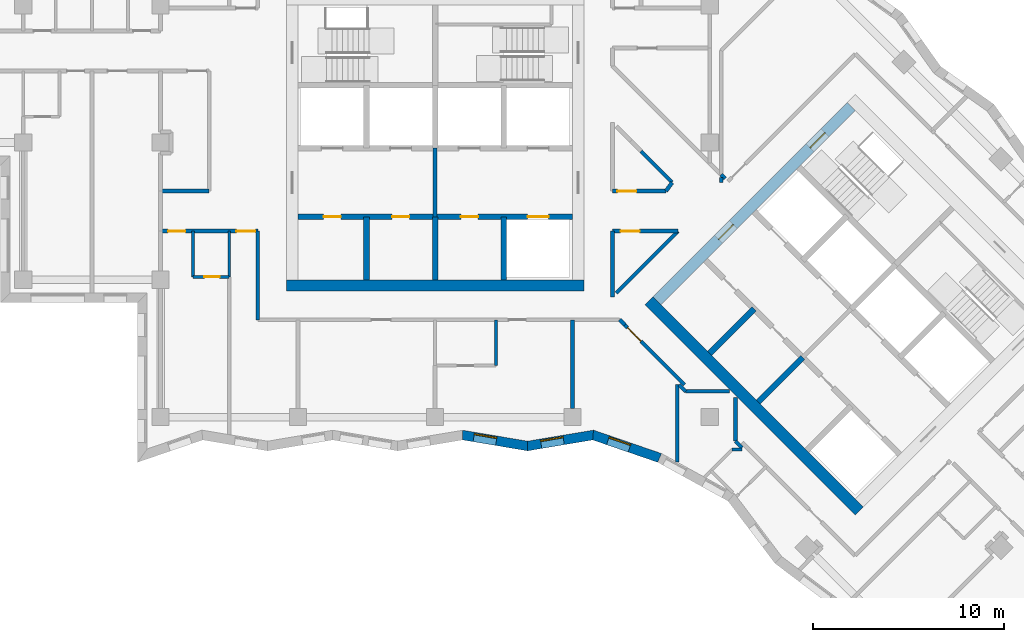
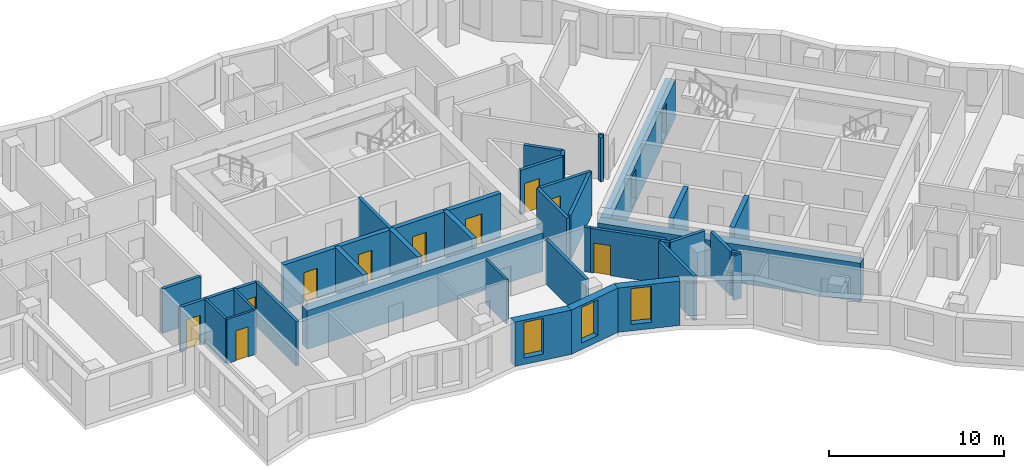
# One storey, part 3 of 12: 37 walls, 12 doors, 3 windows, 15 openings.
"""IFC4 building model written with IfcOpenShell, lengths in metres."""

import ifcopenshell
import ifcopenshell.guid

model = None  # the IFC model being written
_history = None  # IfcOwnerHistory: only IFC2X3 demands one
_inside = {}  # id of a spatial element -> (the spatial element, [elements in it])
_under = {}  # id of a project, library or spatial element -> (it, [spatial elements below it])
_declared = {}  # id of a project -> (the project, [libraries it declares])
_typed = {}  # id of a type object -> (the type object, [elements of that type])
_made_of = {}  # id of a material, layer set ... -> (it, [elements and type objects made of it])


def new_model(schema):
    """Start an empty IFC model of exactly this schema.

    Asked for "IFC4X3", IfcOpenShell would pick the latest addendum, in which some entities
    have other attributes; the version numbers below select the first issue.
    IFC2X3 requires an IfcOwnerHistory on every rooted entity: one is made here for all.
    """
    global model, _history
    if schema == "IFC4X3":
        model = ifcopenshell.file(schema_version=(4, 3, 0, 0))
    else:
        model = ifcopenshell.file(schema=schema)
    _inside.clear()
    _under.clear()
    _declared.clear()
    _typed.clear()
    _made_of.clear()
    _history = None
    if model.schema == "IFC2X3":
        org = make("IfcOrganization", Name="unknown")
        user = make(
            "IfcPersonAndOrganization",
            ThePerson=make("IfcPerson", FamilyName="unknown"),
            TheOrganization=org,
        )
        app = make(
            "IfcApplication",
            ApplicationDeveloper=org,
            Version="unknown",
            ApplicationFullName="unknown",
            ApplicationIdentifier="unknown",
        )
        _history = make(
            "IfcOwnerHistory",
            OwningUser=user,
            OwningApplication=app,
            ChangeAction="ADDED",
            CreationDate=0,
        )
    return model


def make(cls, **values):
    """One entity of the class cls with the attributes given. An attribute that is None is left unset."""
    return model.create_entity(
        cls, **{name: value for name, value in values.items() if value is not None}
    )


def rooted(cls, **values):
    """An entity with a GlobalId (a new one), such as an element, a storey or a relation."""
    return make(cls, GlobalId=ifcopenshell.guid.new(), OwnerHistory=_history, **values)


def si_unit(unit_type, name, prefix=None):
    """IfcSIUnit, for example si_unit("LENGTHUNIT", "METRE", prefix="MILLI")."""
    return make("IfcSIUnit", UnitType=unit_type, Prefix=prefix, Name=name)


def assignment(units):
    """IfcUnitAssignment: the units of a project."""
    return None if units is None else make("IfcUnitAssignment", Units=units)


def point(xyz):
    """IfcCartesianPoint."""
    return None if xyz is None else make("IfcCartesianPoint", Coordinates=xyz)


def direction(xyz):
    """IfcDirection."""
    return None if xyz is None else make("IfcDirection", DirectionRatios=xyz)


def frame(location, z_axis=None, x_axis=None):
    """IfcAxis2Placement3D, a coordinate frame: its origin and axes. An axis left out is left unset."""
    return make(
        "IfcAxis2Placement3D",
        Location=point(location),
        Axis=direction(z_axis),
        RefDirection=direction(x_axis),
    )


def frame_2d(location, x_axis=None):
    """IfcAxis2Placement2D, a coordinate frame in the plane: its origin and x axis."""
    return make(
        "IfcAxis2Placement2D", Location=point(location), RefDirection=direction(x_axis)
    )


def origin():
    """The frame at (0, 0, 0) with its axes left unset."""
    return frame((0.0, 0.0, 0.0))


def place(relative_to, where):
    """IfcLocalPlacement: puts the frame where relative to a parent placement (None: the world)."""
    return make(
        "IfcLocalPlacement", PlacementRelTo=relative_to, RelativePlacement=where
    )


def context(
    kind, dimensions, precision=None, world=None, true_north=None, identifier=None
):
    """IfcGeometricRepresentationContext, for example the 3D "Model" context."""
    return make(
        "IfcGeometricRepresentationContext",
        ContextIdentifier=identifier,
        ContextType=kind,
        CoordinateSpaceDimension=dimensions,
        Precision=precision,
        WorldCoordinateSystem=world,
        TrueNorth=true_north,
    )


def subcontext(parent, identifier, kind, view, scale=None):
    """IfcGeometricRepresentationSubContext, for example "Body" below "Model"."""
    return make(
        "IfcGeometricRepresentationSubContext",
        ContextIdentifier=identifier,
        ContextType=kind,
        ParentContext=parent,
        TargetScale=scale,
        TargetView=view,
    )


def project(units=None, contexts=None):
    """IfcProject with its units and contexts."""
    return rooted(
        "IfcProject",
        Name="project",
        RepresentationContexts=contexts,
        UnitsInContext=assignment(units),
    )


def spatial(cls, under=None, at=None, **own):
    """A site, building, storey or space (cls), placed at a placement, below another one or the project."""
    s = rooted(cls, ObjectPlacement=at, **own)
    if under is not None:
        _under.setdefault(under.id(), (under, []))[1].append(s)
    return s


def polyline(points):
    """IfcPolyline through the points."""
    return make("IfcPolyline", Points=[point(p) for p in points])


def profile(cls, at=None, kind="AREA", **sizes):
    """A parametric profile (cls). Its sizes go by their IFC names, for example OverallWidth=200.0."""
    return make(cls, ProfileType=kind, Position=at, **sizes)


def rectangle(**sizes):
    """IfcRectangleProfileDef."""
    return profile("IfcRectangleProfileDef", **sizes)


def outline(outer, holes=None, kind="AREA"):
    """IfcArbitraryClosedProfileDef: a profile drawn as a closed curve; with holes, ...WithVoids."""
    if holes is None:
        return make("IfcArbitraryClosedProfileDef", ProfileType=kind, OuterCurve=outer)
    return make(
        "IfcArbitraryProfileDefWithVoids",
        ProfileType=kind,
        OuterCurve=outer,
        InnerCurves=holes,
    )


def extrude(swept, where, along, depth):
    """IfcExtrudedAreaSolid: the profile swept, set in the frame where, extruded along a direction by depth."""
    return make(
        "IfcExtrudedAreaSolid",
        SweptArea=swept,
        Position=where,
        ExtrudedDirection=direction(along),
        Depth=depth,
    )


def shape(context_of_items, identifier, shape_type, items):
    """IfcShapeRepresentation: the items that make up one representation, for example the "Body"."""
    return make(
        "IfcShapeRepresentation",
        ContextOfItems=context_of_items,
        RepresentationIdentifier=identifier,
        RepresentationType=shape_type,
        Items=items,
    )


def material(Name=None, Category=None):
    """IfcMaterial."""
    return make("IfcMaterial", Name=Name, Category=Category)


def layer(
    of_material, thickness, ventilated=None, Name=None, Category=None, Priority=None
):
    """IfcMaterialLayer: one layer of a wall or slab, of a material (None: an air gap)."""
    return make(
        "IfcMaterialLayer",
        Material=of_material,
        LayerThickness=thickness,
        IsVentilated=ventilated,
        Name=Name,
        Category=Category,
        Priority=Priority,
    )


def layer_set(layers, Name=None):
    """IfcMaterialLayerSet."""
    return make("IfcMaterialLayerSet", MaterialLayers=layers, LayerSetName=Name)


def made_of(thing, what):
    """Note that an element or type object is made of a material, layer set ...; save() writes the relation."""
    if what is not None:
        _made_of.setdefault(what.id(), (what, []))[1].append(thing)
    return thing


def type_object(cls, material=None, **own):
    """A type object (cls), such as IfcWallType, which elements share."""
    return made_of(rooted(cls, **own), material)


def element(
    cls,
    number,
    at=None,
    inside=None,
    cuts=None,
    type_object=None,
    material=None,
    context=None,
    identifier="Body",
    shape_type=None,
    held_by="IfcProductDefinitionShape",
    body=None,
    shapes=None,
    **own,
):
    """One element of the class cls, such as IfcWall. Its Tag is "e" and its number.

    at: its placement. inside: the storey or other place that contains it. cuts: it is an
    opening in that element (IfcRelVoidsElement). A single representation is given by context,
    identifier, shape_type and body (its items); several are given by shapes. held_by: the class
    of the entity that holds the representations. save() writes the other relations.
    """
    e = rooted(cls, Tag="e%d" % number, ObjectPlacement=at, **own)
    if body is not None:
        shapes = [shape(context, identifier, shape_type, body)]
    if shapes is not None:
        e.Representation = make(held_by, Representations=shapes)
    if inside is not None:
        _inside.setdefault(inside.id(), (inside, []))[1].append(e)
    if cuts is not None:
        rooted(
            "IfcRelVoidsElement", RelatingBuildingElement=cuts, RelatedOpeningElement=e
        )
    if type_object is not None:
        _typed.setdefault(type_object.id(), (type_object, []))[1].append(e)
    return made_of(e, material)


def fill(opening, filler):
    """IfcRelFillsElement: the door or window that sits in an opening."""
    return rooted(
        "IfcRelFillsElement",
        RelatingOpeningElement=opening,
        RelatedBuildingElement=filler,
    )


def aggregate(whole, parts):
    """IfcRelAggregates: a whole, such as a stair, and the parts it consists of."""
    return rooted("IfcRelAggregates", RelatingObject=whole, RelatedObjects=parts)


def save(model, path):
    """Write the relations noted so far, then the file.

    IfcRelAggregates (storeys below a building ...), IfcRelContainedInSpatialStructure (elements
    in a storey), IfcRelDefinesByType, IfcRelAssociatesMaterial and IfcRelDeclares: one each for
    every whole, place, type object, material and project.
    """
    for whole, parts in _under.values():
        aggregate(whole, parts)
    for where, things in _inside.values():
        rooted(
            "IfcRelContainedInSpatialStructure",
            RelatedElements=things,
            RelatingStructure=where,
        )
    for kind, things in _typed.values():
        rooted("IfcRelDefinesByType", RelatedObjects=things, RelatingType=kind)
    for what, things in _made_of.values():
        rooted("IfcRelAssociatesMaterial", RelatedObjects=things, RelatingMaterial=what)
    for by, libraries in _declared.values():
        rooted("IfcRelDeclares", RelatingContext=by, RelatedDefinitions=libraries)
    model.write(path)


model = new_model("IFC4")

# Units and contexts
model_context = context("Model", 3, precision=1e-05, world=origin(), true_north=direction((0.0, 1.0)))
body_context = subcontext(model_context, "Body", "Model", "MODEL_VIEW")
ifc_project = project(units=[si_unit("LENGTHUNIT", "METRE"), si_unit("AREAUNIT", "SQUARE_METRE"), si_unit("VOLUMEUNIT", "CUBIC_METRE"), si_unit("PLANEANGLEUNIT", "RADIAN"), si_unit("MASSUNIT", "GRAM", prefix="KILO")], contexts=[model_context])

# Site, building, storey
site_placement = place(None, origin())
site = spatial("IfcSite", under=ifc_project, at=site_placement, CompositionType="ELEMENT")
building_placement = place(site_placement, origin())
building = spatial("IfcBuilding", under=site, at=building_placement, Name="Windrow Commons", CompositionType="ELEMENT")
storey_placement = place(building_placement, frame((0.0, 0.0, 166.0)))
storey = spatial("IfcBuildingStorey", under=building, at=storey_placement, Name="L45", CompositionType="ELEMENT", Elevation=166.0)

# Wall, opening, window
ifc_material_1 = material(Name="Brick masonry, red clay brick", Category="masonry")
ifc_layer_1 = layer(ifc_material_1, 0.5)
ifc_layer_set_1 = layer_set([ifc_layer_1], Name="Brick facade wall 500")
wall_type_1 = type_object("IfcWallType", Name="Brick facade wall 500", PredefinedType="SOLIDWALL", material=ifc_layer_set_1)
wall_1_placement = place(storey_placement, frame((66.244, 42.2535, 0.0), z_axis=(0.0, 0.0, 1.0), x_axis=(0.9862119159, -0.1654873316, 0.0)))
wall_1 = element("IfcWall", 1, at=wall_1_placement, inside=storey, type_object=wall_type_1, Name="Brick facade wall L45 47", PredefinedType="SOLIDWALL", context=body_context, shape_type="SweptSolid", body=[
    extrude(outline(polyline([(0.042, -0.25), (3.4984, -0.25), (3.4145, 0.25), (-0.042, 0.25), (0.042, -0.25)])), origin(), (0.0, 0.0, 1.0), 3.1),
])
opening_1_placement = place(wall_1_placement, frame((0.5931, 0.0, 0.45)))
opening_1 = element("IfcOpeningElement", 2, at=opening_1_placement, cuts=wall_1, Name="Opening W7E", PredefinedType="OPENING", context=body_context, shape_type="SweptSolid", body=[
    extrude(rectangle(XDim=1.2, YDim=2.5, at=frame_2d((0.6, 1.25))), frame((0.0, 0.26, 0.0), z_axis=(0.0, -1.0, 0.0), x_axis=(1.0, 0.0, 0.0)), (0.0, 0.0, 1.0), 0.52),
])
ifc_material_2 = material(Name="Clear float glass in anodised aluminium frame", Category="aluminium")
window_type = type_object("IfcWindowType", Name="Window W7 notch 1200x2500", PartitioningType="SINGLE_PANEL", PredefinedType="WINDOW", material=ifc_material_2)
window_1_placement = place(opening_1_placement, origin())
window_1 = element("IfcWindow", 3, at=window_1_placement, inside=storey, type_object=window_type, Name="Window L45 47.1", OverallHeight=2.5, OverallWidth=1.2, PartitioningType="SINGLE_PANEL", PredefinedType="WINDOW", context=body_context, shape_type="SweptSolid", body=[
    extrude(rectangle(XDim=1.2, YDim=2.5, at=frame_2d((0.6, 1.25))), frame((0.0, 0.18, 0.0), z_axis=(0.0, -1.0, 0.0), x_axis=(1.0, 0.0, 0.0)), (0.0, 0.0, 1.0), 0.06),
])
fill(opening_1, window_1)

wall_2_placement = place(storey_placement, frame((69.6528, 41.6815, 0.0), z_axis=(0.0, 0.0, 1.0), x_axis=(0.9862107034, 0.1654945573, 0.0)))
wall_2 = element("IfcWall", 4, at=wall_2_placement, inside=storey, type_object=wall_type_1, Name="Brick facade wall L45 48", PredefinedType="SOLIDWALL", context=body_context, shape_type="SweptSolid", body=[
    extrude(outline(polyline([(-0.042, -0.25), (3.4145, -0.25), (3.5415, 0.25), (0.042, 0.25), (-0.042, -0.25)])), origin(), (0.0, 0.0, 1.0), 3.1),
])
opening_2_placement = place(wall_2_placement, frame((0.711, 0.0, 0.45)))
opening_2 = element("IfcOpeningElement", 5, at=opening_2_placement, cuts=wall_2, Name="Opening W7E", PredefinedType="OPENING", context=body_context, shape_type="SweptSolid", body=[
    extrude(rectangle(XDim=1.2, YDim=2.5, at=frame_2d((0.6, 1.25))), frame((0.0, 0.26, 0.0), z_axis=(0.0, -1.0, 0.0), x_axis=(1.0, 0.0, 0.0)), (0.0, 0.0, 1.0), 0.52),
])
window_2_placement = place(opening_2_placement, origin())
window_2 = element("IfcWindow", 6, at=window_2_placement, inside=storey, type_object=window_type, Name="Window L45 48.1", OverallHeight=2.5, OverallWidth=1.2, PartitioningType="SINGLE_PANEL", PredefinedType="WINDOW", context=body_context, shape_type="SweptSolid", body=[
    extrude(rectangle(XDim=1.2, YDim=2.5, at=frame_2d((0.6, 1.25))), frame((0.0, 0.18, 0.0), z_axis=(0.0, -1.0, 0.0), x_axis=(1.0, 0.0, 0.0)), (0.0, 0.0, 1.0), 0.06),
])
fill(opening_2, window_2)

wall_3_placement = place(storey_placement, frame((73.0829, 42.2571, 0.0), z_axis=(0.0, 0.0, 1.0), x_axis=(0.9456655076, -0.3251411198, 0.0)))
wall_3 = element("IfcWall", 7, at=wall_3_placement, inside=storey, type_object=wall_type_1, Name="Brick facade wall L45 49", PredefinedType="SOLIDWALL", context=body_context, shape_type="SweptSolid", body=[
    extrude(outline(polyline([(0.0635, -0.25), (3.6681, -0.25), (3.7114, 0.25), (-0.0635, 0.25), (0.0635, -0.25)])), origin(), (0.0, 0.0, 1.0), 3.1),
])
opening_3_placement = place(wall_3_placement, frame((0.8309, 0.0, 0.45)))
opening_3 = element("IfcOpeningElement", 8, at=opening_3_placement, cuts=wall_3, Name="Opening W7E", PredefinedType="OPENING", context=body_context, shape_type="SweptSolid", body=[
    extrude(rectangle(XDim=1.2, YDim=2.5, at=frame_2d((0.6, 1.25))), frame((0.0, 0.26, 0.0), z_axis=(0.0, -1.0, 0.0), x_axis=(1.0, 0.0, 0.0)), (0.0, 0.0, 1.0), 0.52),
])
window_3_placement = place(opening_3_placement, origin())
window_3 = element("IfcWindow", 9, at=window_3_placement, inside=storey, type_object=window_type, Name="Window L45 49.1", OverallHeight=2.5, OverallWidth=1.2, PartitioningType="SINGLE_PANEL", PredefinedType="WINDOW", context=body_context, shape_type="SweptSolid", body=[
    extrude(rectangle(XDim=1.2, YDim=2.5, at=frame_2d((0.6, 1.25))), frame((0.0, 0.18, 0.0), z_axis=(0.0, -1.0, 0.0), x_axis=(1.0, 0.0, 0.0)), (0.0, 0.0, 1.0), 0.06),
])
fill(opening_3, window_3)

# Wall
ifc_material_3 = material(Name="Blockwork partition", Category="masonry")
ifc_layer_2 = layer(ifc_material_3, 0.2)
ifc_layer_set_2 = layer_set([ifc_layer_2], Name="Fire lobby partition 200")
wall_type_2 = type_object("IfcWallType", Name="Fire lobby partition 200", PredefinedType="PARTITIONING", material=ifc_layer_set_2)
wall_4_placement = place(storey_placement, frame((64.8, 53.7, 0.0), z_axis=(0.0, 0.0, 1.0), x_axis=(0.0, 1.0, 0.0)))
element("IfcWall", 10, at=wall_4_placement, inside=storey, type_object=wall_type_2, Name="W-core-lobby-A-L45", PredefinedType="PARTITIONING", context=body_context, shape_type="SweptSolid", body=[
    extrude(rectangle(XDim=3.6, YDim=0.2, at=frame_2d((1.8, 0.0))), origin(), (0.0, 0.0, 1.0), 3.1),
])

# Wall, openings, doors
ifc_material_4 = material(Name="Blockwork partition", Category="masonry")
ifc_layer_3 = layer(ifc_material_4, 0.2)
ifc_layer_set_3 = layer_set([ifc_layer_3], Name="IW-CORRIDOR-200")
wall_type_3 = type_object("IfcWallType", Name="IW-CORRIDOR-200", PredefinedType="PARTITIONING", material=ifc_layer_set_3)
wall_5_placement = place(storey_placement, frame((50.4, 52.95, 0.0), z_axis=(0.0, 0.0, 1.0), x_axis=(1.0, 0.0, 0.0)))
wall_5 = element("IfcWall", 11, at=wall_5_placement, inside=storey, type_object=wall_type_3, Name="W-L45-W035", PredefinedType="PARTITIONING", context=body_context, shape_type="SweptSolid", body=[
    extrude(rectangle(XDim=5.1, YDim=0.2, at=frame_2d((2.55, 0.0))), origin(), (0.0, 0.0, 1.0), 3.1),
])
opening_4_placement = place(wall_5_placement, frame((0.4, 0.0, 0.0)))
opening_4 = element("IfcOpeningElement", 12, at=opening_4_placement, cuts=wall_5, Name="Opening D109S", PredefinedType="OPENING", context=body_context, shape_type="SweptSolid", body=[
    extrude(rectangle(XDim=0.9, YDim=2.1, at=frame_2d((0.45, 1.05))), frame((0.0, 0.11, 0.0), z_axis=(0.0, -1.0, 0.0), x_axis=(1.0, 0.0, 0.0)), (0.0, 0.0, 1.0), 0.22),
])
opening_5_placement = place(wall_5_placement, frame((3.976, 0.0, 0.0)))
opening_5 = element("IfcOpeningElement", 13, at=opening_5_placement, cuts=wall_5, Name="Opening D310F", PredefinedType="OPENING", context=body_context, shape_type="SweptSolid", body=[
    extrude(rectangle(XDim=1.0, YDim=2.1, at=frame_2d((0.5, 1.05))), frame((0.0, 0.11, 0.0), z_axis=(0.0, -1.0, 0.0), x_axis=(1.0, 0.0, 0.0)), (0.0, 0.0, 1.0), 0.22),
])
ifc_material_5 = material(Name="Timber door leaf", Category="wood")
door_type_1 = type_object("IfcDoorType", Name="DT-AMENITY-1000", OperationType="SINGLE_SWING_LEFT", PredefinedType="DOOR", material=ifc_material_5)
door_1_placement = place(opening_5_placement, origin())
door_1 = element("IfcDoor", 14, at=door_1_placement, inside=storey, type_object=door_type_1, Name="D-L45-D027", OperationType="SINGLE_SWING_RIGHT", OverallHeight=2.1, OverallWidth=1.0, PredefinedType="DOOR", context=body_context, shape_type="SweptSolid", body=[
    extrude(rectangle(XDim=1.0, YDim=2.1, at=frame_2d((0.5, 1.05))), frame((0.0, 0.025, 0.0), z_axis=(0.0, -1.0, 0.0), x_axis=(1.0, 0.0, 0.0)), (0.0, 0.0, 1.0), 0.05),
])
fill(opening_5, door_1)
ifc_material_6 = material(Name="Timber door leaf", Category="wood")
door_type_2 = type_object("IfcDoorType", Name="DT-BEDROOM-900", OperationType="SINGLE_SWING_LEFT", PredefinedType="DOOR", material=ifc_material_6)
door_2_placement = place(opening_4_placement, origin())
door_2 = element("IfcDoor", 15, at=door_2_placement, inside=storey, type_object=door_type_2, Name="D-L45-D025", OperationType="SINGLE_SWING_LEFT", OverallHeight=2.1, OverallWidth=0.9, PredefinedType="DOOR", context=body_context, shape_type="SweptSolid", body=[
    extrude(rectangle(XDim=0.9, YDim=2.1, at=frame_2d((0.45, 1.05))), frame((0.0, 0.025, 0.0), z_axis=(0.0, -1.0, 0.0), x_axis=(1.0, 0.0, 0.0)), (0.0, 0.0, 1.0), 0.05),
])
fill(opening_4, door_2)

# Walls
wall_6_placement = place(storey_placement, frame((55.5, 48.3, 0.0), z_axis=(0.0, 0.0, 1.0), x_axis=(0.0, 1.0, 0.0)))
element("IfcWall", 16, at=wall_6_placement, inside=storey, type_object=wall_type_3, Name="W-L45-W039", PredefinedType="PARTITIONING", context=body_context, shape_type="SweptSolid", body=[
    extrude(rectangle(XDim=4.65, YDim=0.2, at=frame_2d((2.325, 0.0))), origin(), (0.0, 0.0, 1.0), 3.1),
])
wall_7_placement = place(storey_placement, frame((74.2996, 49.7064, 0.0), z_axis=(0.0, 0.0, 1.0), x_axis=(0.7071067812, 0.7071067812, 0.0)))
element("IfcWall", 17, at=wall_7_placement, inside=storey, type_object=wall_type_3, Name="W-L45-W045", PredefinedType="PARTITIONING", context=body_context, shape_type="SweptSolid", body=[
    extrude(rectangle(XDim=4.5877, YDim=0.2, at=frame_2d((2.2938, 0.0))), origin(), (0.0, 0.0, 1.0), 3.1),
])

# Wall, opening, door
wall_8_placement = place(storey_placement, frame((74.7447, 48.0287, 0.0), z_axis=(0.0, 0.0, 1.0), x_axis=(0.7068806156, -0.7073328745, 0.0)))
wall_8 = element("IfcWall", 18, at=wall_8_placement, inside=storey, type_object=wall_type_3, Name="W-L45-W047", PredefinedType="PARTITIONING", context=body_context, shape_type="SweptSolid", body=[
    extrude(rectangle(XDim=4.4222, YDim=0.2, at=frame_2d((2.2111, 0.0))), origin(), (0.0, 0.0, 1.0), 3.1),
])
opening_6_placement = place(wall_8_placement, frame((0.1993, 0.0, 0.0)))
opening_6 = element("IfcOpeningElement", 19, at=opening_6_placement, cuts=wall_8, Name="Opening D310F", PredefinedType="OPENING", context=body_context, shape_type="SweptSolid", body=[
    extrude(rectangle(XDim=1.0, YDim=2.1, at=frame_2d((0.5, 1.05))), frame((0.0, 0.11, 0.0), z_axis=(0.0, -1.0, 0.0), x_axis=(1.0, 0.0, 0.0)), (0.0, 0.0, 1.0), 0.22),
])
door_3_placement = place(opening_6_placement, origin())
door_3 = element("IfcDoor", 20, at=door_3_placement, inside=storey, type_object=door_type_1, Name="D-L45-D039", OperationType="SINGLE_SWING_LEFT", OverallHeight=2.1, OverallWidth=1.0, PredefinedType="DOOR", context=body_context, shape_type="SweptSolid", body=[
    extrude(rectangle(XDim=1.0, YDim=2.1, at=frame_2d((0.5, 1.05))), frame((0.0, 0.025, 0.0), z_axis=(0.0, -1.0, 0.0), x_axis=(1.0, 0.0, 0.0)), (0.0, 0.0, 1.0), 0.05),
])
fill(opening_6, door_3)

# Wall
wall_9_placement = place(storey_placement, frame((74.1, 49.508, 0.0), z_axis=(0.0, 0.0, 1.0), x_axis=(0.0, 1.0, 0.0)))
element("IfcWall", 21, at=wall_9_placement, inside=storey, type_object=wall_type_3, Name="W-L45-W055", PredefinedType="PARTITIONING", context=body_context, shape_type="SweptSolid", body=[
    extrude(rectangle(XDim=3.442, YDim=0.2, at=frame_2d((1.721, 0.0))), origin(), (0.0, 0.0, 1.0), 3.1),
])

# Wall, opening, door
wall_10_placement = place(storey_placement, frame((74.102, 52.95, 0.0), z_axis=(0.0, 0.0, 1.0), x_axis=(1.0, 0.0, 0.0)))
wall_10 = element("IfcWall", 22, at=wall_10_placement, inside=storey, type_object=wall_type_3, Name="W-L45-W056", PredefinedType="PARTITIONING", context=body_context, shape_type="SweptSolid", body=[
    extrude(rectangle(XDim=3.44, YDim=0.2, at=frame_2d((1.72, 0.0))), origin(), (0.0, 0.0, 1.0), 3.1),
])
opening_7_placement = place(wall_10_placement, frame((0.426, 0.0, 0.0)))
opening_7 = element("IfcOpeningElement", 23, at=opening_7_placement, cuts=wall_10, Name="Opening D410F", PredefinedType="OPENING", context=body_context, shape_type="SweptSolid", body=[
    extrude(rectangle(XDim=1.0, YDim=2.1, at=frame_2d((0.5, 1.05))), frame((0.0, 0.11, 0.0), z_axis=(0.0, -1.0, 0.0), x_axis=(1.0, 0.0, 0.0)), (0.0, 0.0, 1.0), 0.22),
])
ifc_material_7 = material(Name="Timber door leaf", Category="wood")
door_type_3 = type_object("IfcDoorType", Name="DT-SERVICE-1000", OperationType="SINGLE_SWING_LEFT", PredefinedType="DOOR", material=ifc_material_7)
door_4_placement = place(opening_7_placement, origin())
door_4 = element("IfcDoor", 24, at=door_4_placement, inside=storey, type_object=door_type_3, Name="D-L45-D000", OperationType="SINGLE_SWING_RIGHT", OverallHeight=2.1, OverallWidth=1.0, PredefinedType="DOOR", context=body_context, shape_type="SweptSolid", body=[
    extrude(rectangle(XDim=1.0, YDim=2.1, at=frame_2d((0.5, 1.05))), frame((0.0, 0.025, 0.0), z_axis=(0.0, -1.0, 0.0), x_axis=(1.0, 0.0, 0.0)), (0.0, 0.0, 1.0), 0.05),
])
fill(opening_7, door_4)

wall_11_placement = place(storey_placement, frame((74.102, 55.05, 0.0), z_axis=(0.0, 0.0, 1.0), x_axis=(1.0, 0.0, 0.0)))
wall_11 = element("IfcWall", 25, at=wall_11_placement, inside=storey, type_object=wall_type_3, Name="W-L45-W062", PredefinedType="PARTITIONING", context=body_context, shape_type="SweptSolid", body=[
    extrude(rectangle(XDim=2.794, YDim=0.2, at=frame_2d((1.397, 0.0))), origin(), (0.0, 0.0, 1.0), 3.1),
])
opening_8_placement = place(wall_11_placement, frame((0.2542, 0.0, 0.0)))
opening_8 = element("IfcOpeningElement", 26, at=opening_8_placement, cuts=wall_11, Name="Opening D410F", PredefinedType="OPENING", context=body_context, shape_type="SweptSolid", body=[
    extrude(rectangle(XDim=1.0, YDim=2.1, at=frame_2d((0.5, 1.05))), frame((0.0, 0.11, 0.0), z_axis=(0.0, -1.0, 0.0), x_axis=(1.0, 0.0, 0.0)), (0.0, 0.0, 1.0), 0.22),
])
door_5_placement = place(opening_8_placement, origin())
door_5 = element("IfcDoor", 27, at=door_5_placement, inside=storey, type_object=door_type_3, Name="D-L45-D001", OperationType="SINGLE_SWING_LEFT", OverallHeight=2.1, OverallWidth=1.0, PredefinedType="DOOR", context=body_context, shape_type="SweptSolid", body=[
    extrude(rectangle(XDim=1.0, YDim=2.1, at=frame_2d((0.5, 1.05))), frame((0.0, 0.025, 0.0), z_axis=(0.0, -1.0, 0.0), x_axis=(1.0, 0.0, 0.0)), (0.0, 0.0, 1.0), 0.05),
])
fill(opening_8, door_5)

# Walls
wall_12_placement = place(storey_placement, frame((50.4, 55.05, 0.0), z_axis=(0.0, 0.0, 1.0), x_axis=(1.0, 0.0, 0.0)))
element("IfcWall", 28, at=wall_12_placement, inside=storey, type_object=wall_type_3, Name="W-L45-W065", PredefinedType="PARTITIONING", context=body_context, shape_type="SweptSolid", body=[
    extrude(rectangle(XDim=2.55, YDim=0.2, at=frame_2d((1.275, 0.0))), origin(), (0.0, 0.0, 1.0), 3.1),
])
wall_13_placement = place(storey_placement, frame((75.597, 57.141, 0.0), z_axis=(0.0, 0.0, 1.0), x_axis=(0.7071067812, -0.7071067812, 0.0)))
element("IfcWall", 29, at=wall_13_placement, inside=storey, type_object=wall_type_3, Name="W-L45-W099", PredefinedType="PARTITIONING", context=body_context, shape_type="SweptSolid", body=[
    extrude(rectangle(XDim=2.3052, YDim=0.2, at=frame_2d((1.1526, 0.0))), origin(), (0.0, 0.0, 1.0), 3.1),
])
for number, where, z_axis, x_axis, name in (
    (30, (77.942, 44.55, 0.0), (0.0, 0.0, 1.0), (1.0, 0.0, 0.0), "W-L45-W100"),
    (31, (80.55, 41.942, 0.0), (0.0, 0.0, 1.0), (0.0, 1.0, 0.0), "W-L45-W101"),
):
    element("IfcWall", number, at=place(storey_placement, frame(where, z_axis=z_axis, x_axis=x_axis)), inside=storey, type_object=wall_type_3, Name=name, PredefinedType="PARTITIONING", context=body_context, shape_type="SweptSolid", body=[
        extrude(rectangle(XDim=2.29, YDim=0.2, at=frame_2d((1.145, 0.0))), origin(), (0.0, 0.0, 1.0), 3.1),
    ])
wall_14_placement = place(storey_placement, frame((76.9029, 55.0508, 0.0), z_axis=(0.0, 0.0, 1.0), x_axis=(0.5890255926, 0.8081143801, 0.0)))
element("IfcWall", 32, at=wall_14_placement, inside=storey, type_object=wall_type_3, Name="W-L45-W149", PredefinedType="PARTITIONING", context=body_context, shape_type="SweptSolid", body=[
    extrude(rectangle(XDim=0.5569, YDim=0.2, at=frame_2d((0.2784, 0.0))), origin(), (0.0, 0.0, 1.0), 3.1),
])
for number, where, z_axis, x_axis, name in (
    (33, (77.5885, 44.8965, 0.0), (0.0, 0.0, 1.0), (0.7071067812, -0.7071067812, 0.0), "W-L45-W153"),
    (34, (80.5465, 41.9385, 0.0), (0.0, 0.0, 1.0), (0.7071067812, -0.7071067812, 0.0), "W-L45-W154"),
):
    element("IfcWall", number, at=place(storey_placement, frame(where, z_axis=z_axis, x_axis=x_axis)), inside=storey, type_object=wall_type_3, Name=name, PredefinedType="PARTITIONING", context=body_context, shape_type="SweptSolid", body=[
        extrude(rectangle(XDim=0.495, YDim=0.2, at=frame_2d((0.2475, 0.0))), origin(), (0.0, 0.0, 1.0), 3.1),
    ])
wall_15_placement = place(storey_placement, frame((79.8, 55.49, 0.0), z_axis=(0.0, 0.0, 1.0), x_axis=(0.0, 1.0, 0.0)))
element("IfcWall", 35, at=wall_15_placement, inside=storey, type_object=wall_type_3, Name="W-L45-W163", PredefinedType="PARTITIONING", context=body_context, shape_type="SweptSolid", body=[
    extrude(rectangle(XDim=0.284, YDim=0.2, at=frame_2d((0.142, 0.0))), origin(), (0.0, 0.0, 1.0), 3.1),
])
wall_16_placement = place(storey_placement, frame((74.4772, 48.3032, 0.0), z_axis=(0.0, 0.0, 1.0), x_axis=(0.7097111995, -0.7044927348, 0.0)))
element("IfcWall", 36, at=wall_16_placement, inside=storey, type_object=wall_type_3, Name="W-L45-W164", PredefinedType="PARTITIONING", context=body_context, shape_type="SweptSolid", body=[
    extrude(rectangle(XDim=0.3833, YDim=0.2, at=frame_2d((0.1916, 0.0))), origin(), (0.0, 0.0, 1.0), 3.1),
])
ifc_material_8 = material(Name="Blockwork partition", Category="masonry")
ifc_layer_4 = layer(ifc_material_8, 0.15)
ifc_layer_set_4 = layer_set([ifc_layer_4], Name="IW-ENSUITE-150")
wall_type_4 = type_object("IfcWallType", Name="IW-ENSUITE-150", PredefinedType="PARTITIONING", material=ifc_layer_set_4)
for number, where, z_axis, x_axis, name in (
    (37, (52.1, 50.55, 0.0), (0.0, 0.0, 1.0), (0.0, 1.0, 0.0), "W-L45-W071"),
    (38, (54.0, 50.55, 0.0), (0.0, 0.0, 1.0), (0.0, 1.0, 0.0), "W-L45-W072"),
    (39, (68.0, 45.9, 0.0), (0.0, 0.0, 1.0), (0.0, 1.0, 0.0), "W-L45-W077"),
):
    element("IfcWall", number, at=place(storey_placement, frame(where, z_axis=z_axis, x_axis=x_axis)), inside=storey, type_object=wall_type_4, Name=name, PredefinedType="PARTITIONING", context=body_context, shape_type="SweptSolid", body=[
        extrude(rectangle(XDim=2.4, YDim=0.15, at=frame_2d((1.2, 0.0))), origin(), (0.0, 0.0, 1.0), 3.1),
    ])

# Wall, opening, door
wall_17_placement = place(storey_placement, frame((52.1, 50.55, 0.0), z_axis=(0.0, 0.0, 1.0), x_axis=(1.0, 0.0, 0.0)))
wall_17 = element("IfcWall", 40, at=wall_17_placement, inside=storey, type_object=wall_type_4, Name="W-L45-W123", PredefinedType="PARTITIONING", context=body_context, shape_type="SweptSolid", body=[
    extrude(rectangle(XDim=1.9, YDim=0.15, at=frame_2d((0.95, 0.0))), origin(), (0.0, 0.0, 1.0), 3.1),
])
opening_9_placement = place(wall_17_placement, frame((0.5979, 0.0, 0.0)))
opening_9 = element("IfcOpeningElement", 41, at=opening_9_placement, cuts=wall_17, Name="Opening D208N", PredefinedType="OPENING", context=body_context, shape_type="SweptSolid", body=[
    extrude(rectangle(XDim=0.8, YDim=2.1, at=frame_2d((0.4, 1.05))), frame((0.0, 0.085, 0.0), z_axis=(0.0, -1.0, 0.0), x_axis=(1.0, 0.0, 0.0)), (0.0, 0.0, 1.0), 0.17),
])
ifc_material_9 = material(Name="Timber door leaf", Category="wood")
door_type_4 = type_object("IfcDoorType", Name="DT-ENSUITE-800", OperationType="SINGLE_SWING_LEFT", PredefinedType="DOOR", material=ifc_material_9)
door_6_placement = place(opening_9_placement, origin())
door_6 = element("IfcDoor", 42, at=door_6_placement, inside=storey, type_object=door_type_4, Name="D-L45-D026", OperationType="SINGLE_SWING_RIGHT", OverallHeight=2.1, OverallWidth=0.8, PredefinedType="DOOR", context=body_context, shape_type="SweptSolid", body=[
    extrude(rectangle(XDim=0.8, YDim=2.1, at=frame_2d((0.4, 1.05))), frame((0.0, 0.025, 0.0), z_axis=(0.0, -1.0, 0.0), x_axis=(1.0, 0.0, 0.0)), (0.0, 0.0, 1.0), 0.05),
])
fill(opening_9, door_6)

# Walls
wall_18_placement = place(storey_placement, frame((80.378, 41.5, 0.0), z_axis=(0.0, 0.0, 1.0), x_axis=(1.0, 0.0, 0.0)))
element("IfcWall", 43, at=wall_18_placement, inside=storey, type_object=wall_type_4, Name="W-L45-W152", PredefinedType="PARTITIONING", context=body_context, shape_type="SweptSolid", body=[
    extrude(rectangle(XDim=0.522, YDim=0.15, at=frame_2d((0.261, 0.0))), origin(), (0.0, 0.0, 1.0), 3.1),
])
ifc_material_10 = material(Name="Blockwork partition", Category="masonry")
ifc_layer_5 = layer(ifc_material_10, 0.2)
ifc_layer_set_5 = layer_set([ifc_layer_5], Name="IW-PARTY-200")
wall_type_5 = type_object("IfcWallType", Name="IW-PARTY-200", PredefinedType="PARTITIONING", material=ifc_layer_set_5)
wall_19_placement = place(storey_placement, frame((72.0, 43.65, 0.0), z_axis=(0.0, 0.0, 1.0), x_axis=(0.0, 1.0, 0.0)))
element("IfcWall", 44, at=wall_19_placement, inside=storey, type_object=wall_type_5, Name="W-L45-W042", PredefinedType="PARTITIONING", context=body_context, shape_type="SweptSolid", body=[
    extrude(rectangle(XDim=4.65, YDim=0.2, at=frame_2d((2.325, 0.0))), origin(), (0.0, 0.0, 1.0), 3.1),
])
wall_20_placement = place(storey_placement, frame((77.5, 40.8316, 0.0), z_axis=(0.0, 0.0, 1.0), x_axis=(0.0, 1.0, 0.0)))
element("IfcWall", 45, at=wall_20_placement, inside=storey, type_object=wall_type_5, Name="W-L45-W049", PredefinedType="PARTITIONING", context=body_context, shape_type="SweptSolid", body=[
    extrude(rectangle(XDim=4.0684, YDim=0.2, at=frame_2d((2.0342, 0.0))), origin(), (0.0, 0.0, 1.0), 3.1),
])
wall_21_placement = place(storey_placement, frame((79.7972, 55.9112, 0.0), z_axis=(0.0, 0.0, 1.0), x_axis=(0.710418702, -0.7037792749, 0.0)))
element("IfcWall", 46, at=wall_21_placement, inside=storey, type_object=wall_type_5, Name="W-L45-W165", PredefinedType="PARTITIONING", context=body_context, shape_type="SweptSolid", body=[
    extrude(rectangle(XDim=0.3012, YDim=0.2, at=frame_2d((0.1506, 0.0))), origin(), (0.0, 0.0, 1.0), 3.1),
])
ifc_material_11 = material(Name="Concrete C50/60", Category="concrete")
ifc_layer_6 = layer(ifc_material_11, 0.6)
ifc_layer_set_6 = layer_set([ifc_layer_6], Name="RC CORE WALL 600 C50/60")
wall_type_6 = type_object("IfcWallType", Name="RC CORE WALL 600 C50/60", PredefinedType="SHEAR", material=ifc_layer_set_6)
for number, where, z_axis, x_axis, name in (
    (47, (57.0, 50.1, -0.3), (0.0, 0.0, 1.0), (1.0, 0.0, 0.0), "Core A wall outer-S"),
    (48, (76.018, 49.3019, -0.3), (0.0, 0.0, 1.0), (0.7071067812, -0.7071067812, 0.0), "Core B wall outer-S"),
):
    element("IfcWall", number, at=place(storey_placement, frame(where, z_axis=z_axis, x_axis=x_axis)), inside=storey, type_object=wall_type_6, Name=name, PredefinedType="SHEAR", context=body_context, shape_type="SweptSolid", body=[
        extrude(rectangle(XDim=15.6, YDim=0.6, at=frame_2d((7.8, 0.0))), origin(), (0.0, 0.0, 1.0), 2.7),
    ])

# Wall, openings, doors
wall_22_placement = place(storey_placement, frame((76.4423, 49.3019, -0.3), z_axis=(0.0, 0.0, 1.0), x_axis=(0.7071067812, 0.7071067812, 0.0)))
wall_22 = element("IfcWall", 49, at=wall_22_placement, inside=storey, type_object=wall_type_6, Name="Core B wall outer-W", PredefinedType="SHEAR", context=body_context, shape_type="SweptSolid", body=[
    extrude(rectangle(XDim=14.3999, YDim=0.6, at=frame_2d((7.2, 0.0))), origin(), (0.0, 0.0, 1.0), 2.7),
])
opening_10_placement = place(wall_22_placement, frame((4.55, 0.0, 0.3)))
opening_10 = element("IfcOpeningElement", 50, at=opening_10_placement, cuts=wall_22, Name="Opening D6", PredefinedType="OPENING", context=body_context, shape_type="SweptSolid", body=[
    extrude(rectangle(XDim=1.1, YDim=2.1, at=frame_2d((0.55, 1.05))), frame((0.0, 0.31, 0.0), z_axis=(0.0, -1.0, 0.0), x_axis=(1.0, 0.0, 0.0)), (0.0, 0.0, 1.0), 0.62),
])
opening_11_placement = place(wall_22_placement, frame((11.35, 0.0, 0.3)))
opening_11 = element("IfcOpeningElement", 51, at=opening_11_placement, cuts=wall_22, Name="Opening D7", PredefinedType="OPENING", context=body_context, shape_type="SweptSolid", body=[
    extrude(rectangle(XDim=1.1, YDim=2.1, at=frame_2d((0.55, 1.05))), frame((0.0, 0.31, 0.0), z_axis=(0.0, -1.0, 0.0), x_axis=(1.0, 0.0, 0.0)), (0.0, 0.0, 1.0), 0.62),
])
ifc_material_12 = material(Name="Steel fire door leaf", Category="steel")
door_type_5 = type_object("IfcDoorType", Name="Core lobby door 1100", OperationType="SINGLE_SWING_LEFT", PredefinedType="DOOR", material=ifc_material_12)
door_7_placement = place(opening_10_placement, origin())
door_7 = element("IfcDoor", 52, at=door_7_placement, inside=storey, type_object=door_type_5, Name="Lift lobby door", OperationType="DOUBLE_DOOR_SINGLE_SWING", OverallHeight=2.1, OverallWidth=1.1, PredefinedType="DOOR", context=body_context, shape_type="SweptSolid", body=[
    extrude(rectangle(XDim=1.1, YDim=2.1, at=frame_2d((0.55, 1.05))), frame((0.0, 0.025, 0.0), z_axis=(0.0, -1.0, 0.0), x_axis=(1.0, 0.0, 0.0)), (0.0, 0.0, 1.0), 0.05),
])
fill(opening_10, door_7)
ifc_material_13 = material(Name="Steel fire door leaf", Category="steel")
door_type_6 = type_object("IfcDoorType", Name="Stair door 1100", OperationType="SINGLE_SWING_LEFT", PredefinedType="DOOR", material=ifc_material_13)
door_8_placement = place(opening_11_placement, origin())
door_8 = element("IfcDoor", 53, at=door_8_placement, inside=storey, type_object=door_type_6, Name="Stair door", OperationType="SINGLE_SWING_LEFT", OverallHeight=2.1, OverallWidth=1.1, PredefinedType="DOOR", context=body_context, shape_type="SweptSolid", body=[
    extrude(rectangle(XDim=1.1, YDim=2.1, at=frame_2d((0.55, 1.05))), frame((0.0, 0.025, 0.0), z_axis=(0.0, -1.0, 0.0), x_axis=(1.0, 0.0, 0.0)), (0.0, 0.0, 1.0), 0.05),
])
fill(opening_11, door_8)

# Walls
ifc_material_14 = material(Name="Concrete C50/60", Category="concrete")
ifc_layer_7 = layer(ifc_material_14, 0.3)
ifc_layer_set_7 = layer_set([ifc_layer_7], Name="RC SHAFT WALL 300 C50/60")
wall_type_7 = type_object("IfcWallType", Name="RC SHAFT WALL 300 C50/60", PredefinedType="SOLIDWALL", material=ifc_layer_set_7)
for number, where, z_axis, x_axis, name in (
    (54, (61.2, 50.4, 0.0), (0.0, 0.0, 1.0), (0.0, 1.0, 0.0), "Core A wall shaft-S1"),
    (55, (64.8, 50.4, 0.0), (0.0, 0.0, 1.0), (0.0, 1.0, 0.0), "Core A wall shaft-S2"),
    (56, (68.4, 50.4, 0.0), (0.0, 0.0, 1.0), (0.0, 1.0, 0.0), "Core A wall shaft-S3"),
):
    element("IfcWall", number, at=place(storey_placement, frame(where, z_axis=z_axis, x_axis=x_axis)), inside=storey, type_object=wall_type_7, Name=name, PredefinedType="SOLIDWALL", context=body_context, shape_type="SweptSolid", body=[
        extrude(rectangle(XDim=3.3, YDim=0.3, at=frame_2d((1.65, 0.0))), origin(), (0.0, 0.0, 1.0), 3.1),
    ])

# Wall, openings, doors
wall_23_placement = place(storey_placement, frame((57.6, 53.7, 0.0), z_axis=(0.0, 0.0, 1.0), x_axis=(1.0, 0.0, 0.0)))
wall_23 = element("IfcWall", 57, at=wall_23_placement, inside=storey, type_object=wall_type_7, Name="Core A wall lobby-S", PredefinedType="SOLIDWALL", context=body_context, shape_type="SweptSolid", body=[
    extrude(rectangle(XDim=14.4, YDim=0.3, at=frame_2d((7.2, 0.0))), origin(), (0.0, 0.0, 1.0), 3.1),
])
opening_12_placement = place(wall_23_placement, frame((1.35, 0.0, 0.0)))
opening_12 = element("IfcOpeningElement", 58, at=opening_12_placement, cuts=wall_23, Name="Opening D8", PredefinedType="OPENING", context=body_context, shape_type="SweptSolid", body=[
    extrude(rectangle(XDim=0.9, YDim=2.1, at=frame_2d((0.45, 1.05))), frame((0.0, 0.16, 0.0), z_axis=(0.0, -1.0, 0.0), x_axis=(1.0, 0.0, 0.0)), (0.0, 0.0, 1.0), 0.32),
])
opening_13_placement = place(wall_23_placement, frame((4.95, 0.0, 0.0)))
opening_13 = element("IfcOpeningElement", 59, at=opening_13_placement, cuts=wall_23, Name="Opening D8", PredefinedType="OPENING", context=body_context, shape_type="SweptSolid", body=[
    extrude(rectangle(XDim=0.9, YDim=2.1, at=frame_2d((0.45, 1.05))), frame((0.0, 0.16, 0.0), z_axis=(0.0, -1.0, 0.0), x_axis=(1.0, 0.0, 0.0)), (0.0, 0.0, 1.0), 0.32),
])
opening_14_placement = place(wall_23_placement, frame((8.55, 0.0, 0.0)))
opening_14 = element("IfcOpeningElement", 60, at=opening_14_placement, cuts=wall_23, Name="Opening D8", PredefinedType="OPENING", context=body_context, shape_type="SweptSolid", body=[
    extrude(rectangle(XDim=0.9, YDim=2.1, at=frame_2d((0.45, 1.05))), frame((0.0, 0.16, 0.0), z_axis=(0.0, -1.0, 0.0), x_axis=(1.0, 0.0, 0.0)), (0.0, 0.0, 1.0), 0.32),
])
opening_15_placement = place(wall_23_placement, frame((12.05, 0.0, 0.0)))
opening_15 = element("IfcOpeningElement", 61, at=opening_15_placement, cuts=wall_23, Name="Opening LD", PredefinedType="OPENING", context=body_context, shape_type="SweptSolid", body=[
    extrude(rectangle(XDim=1.1, YDim=2.1, at=frame_2d((0.55, 1.05))), frame((0.0, 0.16, 0.0), z_axis=(0.0, -1.0, 0.0), x_axis=(1.0, 0.0, 0.0)), (0.0, 0.0, 1.0), 0.32),
])
ifc_material_15 = material(Name="Steel fire door leaf", Category="steel")
door_type_7 = type_object("IfcDoorType", Name="Core store door 900", OperationType="SINGLE_SWING_LEFT", PredefinedType="DOOR", material=ifc_material_15)
door_9_placement = place(opening_12_placement, origin())
door_9 = element("IfcDoor", 62, at=door_9_placement, inside=storey, type_object=door_type_7, Name="Store door", OperationType="SINGLE_SWING_LEFT", OverallHeight=2.1, OverallWidth=0.9, PredefinedType="DOOR", context=body_context, shape_type="SweptSolid", body=[
    extrude(rectangle(XDim=0.9, YDim=2.1, at=frame_2d((0.45, 1.05))), frame((0.0, 0.025, 0.0), z_axis=(0.0, -1.0, 0.0), x_axis=(1.0, 0.0, 0.0)), (0.0, 0.0, 1.0), 0.05),
])
fill(opening_12, door_9)
door_10_placement = place(opening_13_placement, origin())
door_10 = element("IfcDoor", 63, at=door_10_placement, inside=storey, type_object=door_type_7, Name="Store door", OperationType="SINGLE_SWING_LEFT", OverallHeight=2.1, OverallWidth=0.9, PredefinedType="DOOR", context=body_context, shape_type="SweptSolid", body=[
    extrude(rectangle(XDim=0.9, YDim=2.1, at=frame_2d((0.45, 1.05))), frame((0.0, 0.025, 0.0), z_axis=(0.0, -1.0, 0.0), x_axis=(1.0, 0.0, 0.0)), (0.0, 0.0, 1.0), 0.05),
])
fill(opening_13, door_10)
door_11_placement = place(opening_14_placement, origin())
door_11 = element("IfcDoor", 64, at=door_11_placement, inside=storey, type_object=door_type_7, Name="Store door", OperationType="SINGLE_SWING_LEFT", OverallHeight=2.1, OverallWidth=0.9, PredefinedType="DOOR", context=body_context, shape_type="SweptSolid", body=[
    extrude(rectangle(XDim=0.9, YDim=2.1, at=frame_2d((0.45, 1.05))), frame((0.0, 0.025, 0.0), z_axis=(0.0, -1.0, 0.0), x_axis=(1.0, 0.0, 0.0)), (0.0, 0.0, 1.0), 0.05),
])
fill(opening_14, door_11)
ifc_material_16 = material(Name="Stainless steel door leaf", Category="steel")
door_type_8 = type_object("IfcDoorType", Name="Lift landing door 1100", OperationType="SLIDING_TO_LEFT", PredefinedType="DOOR", material=ifc_material_16)
door_12_placement = place(opening_15_placement, origin())
door_12 = element("IfcDoor", 65, at=door_12_placement, inside=storey, type_object=door_type_8, Name="Lift landing door", OperationType="SLIDING_TO_RIGHT", OverallHeight=2.1, OverallWidth=1.1, PredefinedType="DOOR", context=body_context, shape_type="SweptSolid", body=[
    extrude(rectangle(XDim=1.1, YDim=2.1, at=frame_2d((0.55, 1.05))), frame((0.0, 0.025, 0.0), z_axis=(0.0, -1.0, 0.0), x_axis=(1.0, 0.0, 0.0)), (0.0, 0.0, 1.0), 0.05),
])
fill(opening_15, door_12)

# Walls
wall_24_placement = place(storey_placement, frame((79.2, 46.5442, 0.0), z_axis=(0.0, 0.0, 1.0), x_axis=(0.7071219326, 0.7070916295, 0.0)))
element("IfcWall", 66, at=wall_24_placement, inside=storey, type_object=wall_type_7, Name="Core B wall shaft-S1", PredefinedType="SOLIDWALL", context=body_context, shape_type="SweptSolid", body=[
    extrude(rectangle(XDim=3.3, YDim=0.3, at=frame_2d((1.65, 0.0))), origin(), (0.0, 0.0, 1.0), 3.1),
])
wall_25_placement = place(storey_placement, frame((81.7456, 43.9986, 0.0), z_axis=(0.0, 0.0, 1.0), x_axis=(0.7071067812, 0.7071067812, 0.0)))
element("IfcWall", 67, at=wall_25_placement, inside=storey, type_object=wall_type_7, Name="Core B wall shaft-S2", PredefinedType="SOLIDWALL", context=body_context, shape_type="SweptSolid", body=[
    extrude(rectangle(XDim=3.2999, YDim=0.3, at=frame_2d((1.65, 0.0))), origin(), (0.0, 0.0, 1.0), 3.1),
])

save(model, "model.ifc")
